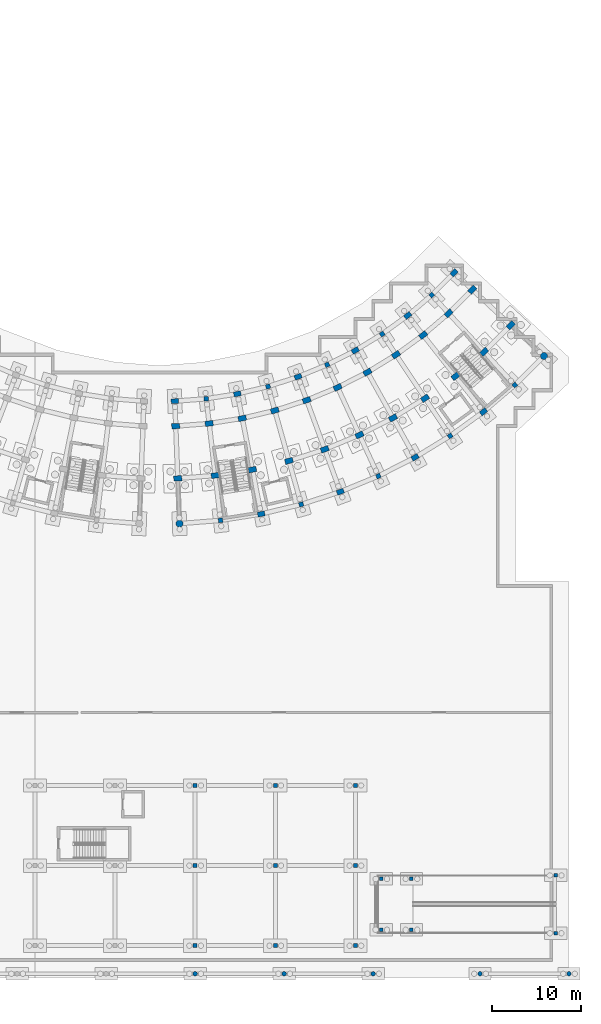
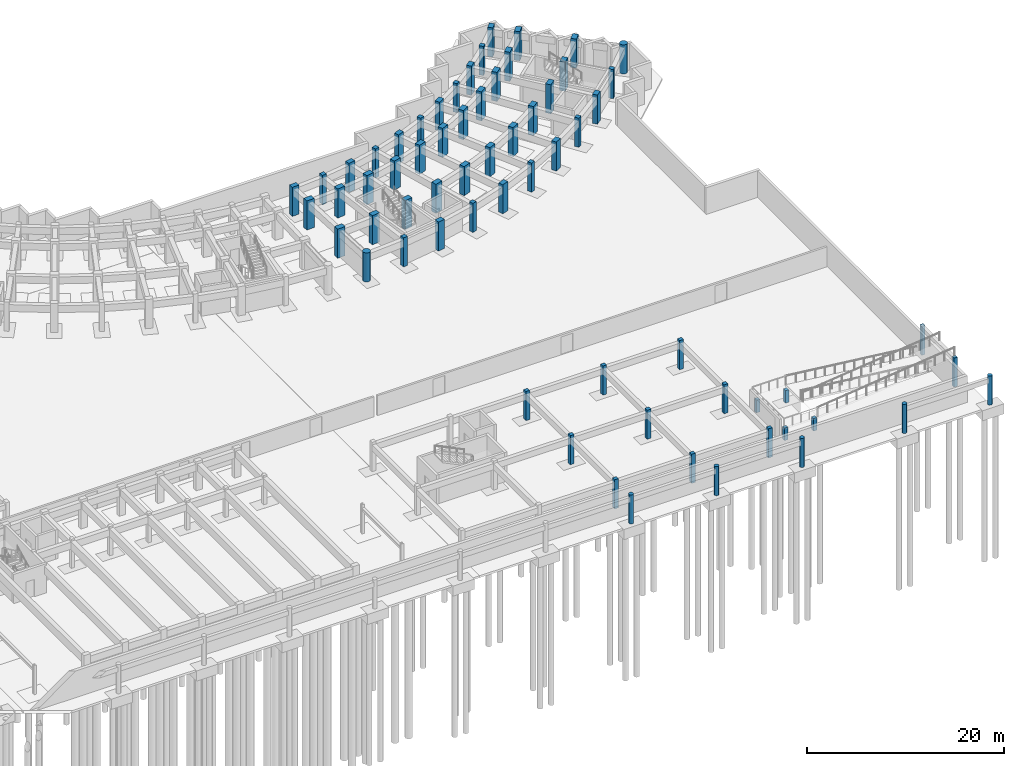
# One storey, part 10 of 32: 64 columns.
"""IFC4 building model written with IfcOpenShell, lengths in metres."""

from ifc_helpers import new_model, si_unit, direction, frame, origin, origin_2d, place, context, subcontext, project, spatial, rectangle, circle, extrude, material, material_profile, profile_set, type_object, element, save


model = new_model("IFC4")

# Units and contexts
model_context = context("Model", 3, precision=1e-05, world=origin(), true_north=direction((0.0, 1.0)))
body_context = subcontext(model_context, "Body", "Model", "MODEL_VIEW")
ifc_project = project(units=[si_unit("LENGTHUNIT", "METRE"), si_unit("AREAUNIT", "SQUARE_METRE"), si_unit("VOLUMEUNIT", "CUBIC_METRE"), si_unit("PLANEANGLEUNIT", "RADIAN"), si_unit("MASSUNIT", "GRAM", prefix="KILO")], contexts=[model_context])

# Site, building, storey
site_placement = place(None, origin())
site = spatial("IfcSite", under=ifc_project, at=site_placement, CompositionType="ELEMENT")
building_placement = place(site_placement, origin())
building = spatial("IfcBuilding", under=site, at=building_placement, Name="Zimvara Arc Housing Community", CompositionType="ELEMENT")
storey_placement = place(building_placement, frame((0.0, 0.0, -3.60009765625)))
storey = spatial("IfcBuildingStorey", under=building, at=storey_placement, Name="B1", CompositionType="ELEMENT", Elevation=-3.60009765625)

# Columns
ifc_material_1 = material(Name="Concrete C40/50", Category="concrete")
ifc_material_profile_1 = material_profile(ifc_material_1, rectangle(XDim=0.39990234375, YDim=0.39990234375, at=origin_2d()), Name="RC 400x400")
ifc_profile_set_1 = profile_set([ifc_material_profile_1], Name="Concrete C40/50")
column_type_1 = type_object("IfcColumnType", Name="COL-RC-400x400", PredefinedType="COLUMN", material=ifc_profile_set_1)
for number, where, z_axis, x_axis, name in (
    (1, (150.89990234375, 5.39990234375, 0.0), (0.0, 0.0, 1.0), (1.0, 0.0, 0.0), "col:B1:ramp:1"),
    (2, (150.89990234375, 11.10009765625, 0.0), (0.0, 0.0, 1.0), (1.0, 0.0, 0.0), "col:B1:ramp:2"),
    (3, (154.300048828125, 5.39990234375, 0.0), (0.0, 0.0, 1.0), (1.0, 0.0, 0.0), "col:B1:ramp:3"),
    (4, (154.300048828125, 11.10009765625, 0.0), (0.0, 0.0, 1.0), (1.0, 0.0, 0.0), "col:B1:ramp:4"),
):
    element("IfcColumn", number, at=place(storey_placement, frame(where, z_axis=z_axis, x_axis=x_axis)), inside=storey, type_object=column_type_1, Name=name, PredefinedType="COLUMN", context=body_context, shape_type="SweptSolid", body=[
        extrude(rectangle(XDim=0.39990234375, YDim=0.39990234375, at=origin_2d()), origin(), (0.0, 0.0, 1.0), 1.550048828125),
    ])
for number, where, z_axis, x_axis, name in (
    (5, (170.5, 5.0, 0.0), (0.0, 0.0, 1.0), (1.0, 0.0, 0.0), "col:B1:ramp_top:1"),
    (6, (170.5, 11.5, 0.0), (0.0, 0.0, 1.0), (1.0, 0.0, 0.0), "col:B1:ramp_top:2"),
):
    element("IfcColumn", number, at=place(storey_placement, frame(where, z_axis=z_axis, x_axis=x_axis)), inside=storey, type_object=column_type_1, Name=name, PredefinedType="COLUMN", context=body_context, shape_type="SweptSolid", body=[
        extrude(rectangle(XDim=0.39990234375, YDim=0.39990234375, at=origin_2d()), origin(), (0.0, 0.0, 1.0), 3.60009765625),
    ])
ifc_material_2 = material(Name="Concrete C40/50", Category="concrete")
ifc_material_profile_2 = material_profile(ifc_material_2, rectangle(XDim=0.449951171875, YDim=0.449951171875, at=origin_2d()), Name="RC 450x450")
ifc_profile_set_2 = profile_set([ifc_material_profile_2], Name="Concrete C40/50")
column_type_2 = type_object("IfcColumnType", Name="COL-RC-450x450", PredefinedType="COLUMN", material=ifc_profile_set_2)
for number, where, z_axis, x_axis, name in (
    (7, (130.0, 3.60009765625, 0.0), (0.0, 0.0, 1.0), (1.0, 0.0, 0.0), "col:nursery:B1:x2:y0"),
    (8, (130.0, 12.60009765625, 0.0), (0.0, 0.0, 1.0), (1.0, 0.0, 0.0), "col:nursery:B1:x2:y1"),
    (9, (130.0, 21.60009765625, 0.0), (0.0, 0.0, 1.0), (1.0, 0.0, 0.0), "col:nursery:B1:x2:y2"),
    (10, (139.0, 3.60009765625, 0.0), (0.0, 0.0, 1.0), (1.0, 0.0, 0.0), "col:nursery:B1:x3:y0"),
    (11, (139.0, 12.60009765625, 0.0), (0.0, 0.0, 1.0), (1.0, 0.0, 0.0), "col:nursery:B1:x3:y1"),
    (12, (139.0, 21.60009765625, 0.0), (0.0, 0.0, 1.0), (1.0, 0.0, 0.0), "col:nursery:B1:x3:y2"),
    (13, (148.0, 3.60009765625, 0.0), (0.0, 0.0, 1.0), (1.0, 0.0, 0.0), "col:nursery:B1:x4:y0"),
    (14, (148.0, 12.60009765625, 0.0), (0.0, 0.0, 1.0), (1.0, 0.0, 0.0), "col:nursery:B1:x4:y1"),
    (15, (148.0, 21.60009765625, 0.0), (0.0, 0.0, 1.0), (1.0, 0.0, 0.0), "col:nursery:B1:x4:y2"),
):
    element("IfcColumn", number, at=place(storey_placement, frame(where, z_axis=z_axis, x_axis=x_axis)), inside=storey, type_object=column_type_2, Name=name, PredefinedType="COLUMN", context=body_context, shape_type="SweptSolid", body=[
        extrude(rectangle(XDim=0.449951171875, YDim=0.449951171875, at=origin_2d()), origin(), (0.0, 0.0, 1.0), 3.60009765625),
    ])
ifc_material_3 = material(Name="Concrete C40/50", Category="concrete")
ifc_material_profile_3 = material_profile(ifc_material_3, rectangle(XDim=0.5, YDim=0.5, at=origin_2d()), Name="RC 500x500")
ifc_profile_set_3 = profile_set([ifc_material_profile_3], Name="Concrete C40/50")
column_type_3 = type_object("IfcColumnType", Name="COL-RC-500x500", PredefinedType="COLUMN", material=ifc_profile_set_3)
for number, where, z_axis, x_axis, name in (
    (16, (131.244140625, 65.048095703125, 0.0), (0.0, 0.0, 1.0), (0.116670737099, -0.993170649538, 0.0), "col:blkD:B1:b1:r0"),
    (17, (132.849609375, 51.382080078125, 0.0), (0.0, 0.0, 1.0), (0.116670737099, -0.993170649538, 0.0), "col:blkD:B1:b1:r3"),
    (18, (138.189453125, 66.42333984375, 0.0), (0.0, 0.0, 1.0), (0.270600445976, -0.962691746426, 0.0), "col:blkD:B1:b3:r0"),
    (19, (141.912841796875, 53.1767578125, 0.0), (0.0, 0.0, 1.0), (0.270600445976, -0.962691746426, 0.0), "col:blkD:B1:b3:r3"),
    (20, (144.834228515625, 68.8681640625, 0.0), (0.0, 0.0, 1.0), (0.417867073801, -0.908508177527, 0.0), "col:blkD:B1:b5:r0"),
    (21, (150.583984375, 56.366943359375, 0.0), (0.0, 0.0, 1.0), (0.417867073801, -0.908508177527, 0.0), "col:blkD:B1:b5:r3"),
    (22, (151.0146484375, 72.322265625, 0.0), (0.0, 0.0, 1.0), (0.554844427448, -0.83195412213, 0.0), "col:blkD:B1:b7:r0"),
    (23, (158.649169921875, 60.87451171875, 0.0), (0.0, 0.0, 1.0), (0.554844427448, -0.83195412213, 0.0), "col:blkD:B1:b7:r3"),
    (24, (156.57861328125, 76.70068359375, 0.0), (0.0, 0.0, 1.0), (0.678159669868, -0.73491459515, 0.0), "col:blkD:B1:b9:r0"),
    (25, (165.91015625, 66.588134765625, 0.0), (0.0, 0.0, 1.0), (0.678159669868, -0.73491459515, 0.0), "col:blkD:B1:b9:r3"),
):
    element("IfcColumn", number, at=place(storey_placement, frame(where, z_axis=z_axis, x_axis=x_axis)), inside=storey, type_object=column_type_3, Name=name, PredefinedType="COLUMN", context=body_context, shape_type="SweptSolid", body=[
        extrude(rectangle(XDim=0.5, YDim=0.5, at=origin_2d()), origin(), (0.0, 0.0, 1.0), 3.60009765625),
    ])
ifc_material_4 = material(Name="Concrete C40/50", Category="concrete")
ifc_material_profile_4 = material_profile(ifc_material_4, rectangle(XDim=0.550048828125, YDim=0.800048828125, at=origin_2d()), Name="RC 550x800")
ifc_profile_set_4 = profile_set([ifc_material_profile_4], Name="Concrete C40/50")
column_type_4 = type_object("IfcColumnType", Name="COL-RC-550x800", PredefinedType="COLUMN", material=ifc_profile_set_4)
for number, where, z_axis, x_axis, name in (
    (26, (127.712158203125, 64.773193359375, 0.0), (0.0, 0.0, 1.0), (0.038387809088, -0.999262916411, 0.0), "col:blkD:B1:b0:r0"),
    (27, (134.743896484375, 65.599365234375, 0.0), (0.0, 0.0, 1.0), (0.19423435122, -0.980955155349, 0.0), "col:blkD:B1:b2:r0"),
    (28, (137.41650390625, 52.101318359375, 0.0), (0.0, 0.0, 1.0), (0.19423435122, -0.980955155349, 0.0), "col:blkD:B1:b2:r3"),
    (29, (141.559814453125, 67.51513671875, 0.0), (0.0, 0.0, 1.0), (0.345298198999, -0.93849302276, 0.0), "col:blkD:B1:b4:r0"),
    (30, (146.311279296875, 54.6015625, 0.0), (0.0, 0.0, 1.0), (0.345298198999, -0.93849302276, 0.0), "col:blkD:B1:b4:r3"),
    (31, (147.9921875, 70.473876953125, 0.0), (0.0, 0.0, 1.0), (0.487859659139, -0.87292207727, 0.0), "col:blkD:B1:b6:r0"),
    (32, (154.705078125, 58.46240234375, 0.0), (0.0, 0.0, 1.0), (0.487859659139, -0.87292207727, 0.0), "col:blkD:B1:b6:r3"),
    (33, (153.882568359375, 74.402099609375, 0.0), (0.0, 0.0, 1.0), (0.618408395358, -0.785856893175, 0.0), "col:blkD:B1:b8:r0"),
    (34, (162.391845703125, 63.5888671875, 0.0), (0.0, 0.0, 1.0), (0.618408395358, -0.785856893175, 0.0), "col:blkD:B1:b8:r3"),
    (35, (159.0859375, 79.20361328125, 0.0), (0.0, 0.0, 1.0), (0.733729864503, -0.679441304262, 0.0), "col:blkD:B1:b10:r0"),
):
    element("IfcColumn", number, at=place(storey_placement, frame(where, z_axis=z_axis, x_axis=x_axis)), inside=storey, type_object=column_type_4, Name=name, PredefinedType="COLUMN", context=body_context, shape_type="SweptSolid", body=[
        extrude(rectangle(XDim=0.550048828125, YDim=0.800048828125, at=origin_2d()), origin(), (0.0, 0.0, 1.0), 3.60009765625),
    ])
ifc_material_5 = material(Name="Concrete C40/50", Category="concrete")
ifc_material_profile_5 = material_profile(ifc_material_5, rectangle(XDim=0.60009765625, YDim=0.89990234375, at=origin_2d()), Name="RC 600x900")
ifc_profile_set_5 = profile_set([ifc_material_profile_5], Name="Concrete C40/50")
column_type_5 = type_object("IfcColumnType", Name="COL-RC-600x900", PredefinedType="COLUMN", material=ifc_profile_set_5)
for number, where, z_axis, x_axis, name in (
    (36, (127.819580078125, 61.975341796875, 0.0), (0.0, 0.0, 1.0), (0.038387809088, -0.999262916411, 0.0), "col:blkD:B1:b0:r1"),
    (37, (128.045166015625, 56.099609375, 0.0), (0.0, 0.0, 1.0), (0.038387809088, -0.999262916411, 0.0), "col:blkD:B1:b0:r2"),
    (38, (131.57080078125, 62.267333984375, 0.0), (0.0, 0.0, 1.0), (0.116670737099, -0.993170649538, 0.0), "col:blkD:B1:b1:r1"),
    (39, (132.2568359375, 56.427490234375, 0.0), (0.0, 0.0, 1.0), (0.116670737099, -0.993170649538, 0.0), "col:blkD:B1:b1:r2"),
    (40, (135.28759765625, 62.8525390625, 0.0), (0.0, 0.0, 1.0), (0.19423435122, -0.980955155349, 0.0), "col:blkD:B1:b2:r1"),
    (41, (136.4296875, 57.084716796875, 0.0), (0.0, 0.0, 1.0), (0.19423435122, -0.980955155349, 0.0), "col:blkD:B1:b2:r2"),
    (42, (138.947265625, 63.727783203125, 0.0), (0.0, 0.0, 1.0), (0.270600445976, -0.962691746426, 0.0), "col:blkD:B1:b3:r1"),
    (43, (140.538330078125, 58.067138671875, 0.0), (0.0, 0.0, 1.0), (0.270600445976, -0.962691746426, 0.0), "col:blkD:B1:b3:r2"),
    (44, (142.526611328125, 64.887451171875, 0.0), (0.0, 0.0, 1.0), (0.345298198999, -0.93849302276, 0.0), "col:blkD:B1:b4:r1"),
    (45, (144.55712890625, 59.369140625, 0.0), (0.0, 0.0, 1.0), (0.345298198999, -0.93849302276, 0.0), "col:blkD:B1:b4:r2"),
    (46, (146.004150390625, 66.32421875, 0.0), (0.0, 0.0, 1.0), (0.417867073801, -0.908508177527, 0.0), "col:blkD:B1:b5:r1"),
    (47, (148.461181640625, 60.982177734375, 0.0), (0.0, 0.0, 1.0), (0.417867073801, -0.908508177527, 0.0), "col:blkD:B1:b5:r2"),
    (48, (149.358154296875, 68.029541015625, 0.0), (0.0, 0.0, 1.0), (0.487859659139, -0.87292207727, 0.0), "col:blkD:B1:b6:r1"),
    (49, (152.226806640625, 62.896728515625, 0.0), (0.0, 0.0, 1.0), (0.487859659139, -0.87292207727, 0.0), "col:blkD:B1:b6:r2"),
    (50, (152.568115234375, 69.99267578125, 0.0), (0.0, 0.0, 1.0), (0.554844427448, -0.83195412213, 0.0), "col:blkD:B1:b7:r1"),
    (51, (155.83056640625, 65.100830078125, 0.0), (0.0, 0.0, 1.0), (0.554844427448, -0.83195412213, 0.0), "col:blkD:B1:b7:r2"),
    (52, (155.614013671875, 72.20166015625, 0.0), (0.0, 0.0, 1.0), (0.618408395358, -0.785856893175, 0.0), "col:blkD:B1:b8:r1"),
    (53, (159.25048828125, 67.580810546875, 0.0), (0.0, 0.0, 1.0), (0.618408395358, -0.785856893175, 0.0), "col:blkD:B1:b8:r2"),
    (54, (158.477294921875, 74.642822265625, 0.0), (0.0, 0.0, 1.0), (0.678159669868, -0.73491459515, 0.0), "col:blkD:B1:b9:r1"),
    (55, (162.465087890625, 70.321533203125, 0.0), (0.0, 0.0, 1.0), (0.678159669868, -0.73491459515, 0.0), "col:blkD:B1:b9:r2"),
    (56, (161.140380859375, 77.30126953125, 0.0), (0.0, 0.0, 1.0), (0.733729864503, -0.679441304262, 0.0), "col:blkD:B1:b10:r1"),
    (57, (165.45458984375, 73.30615234375, 0.0), (0.0, 0.0, 1.0), (0.733729864503, -0.679441304262, 0.0), "col:blkD:B1:b10:r2"),
):
    element("IfcColumn", number, at=place(storey_placement, frame(where, z_axis=z_axis, x_axis=x_axis)), inside=storey, type_object=column_type_5, Name=name, PredefinedType="COLUMN", context=body_context, shape_type="SweptSolid", body=[
        extrude(rectangle(XDim=0.60009765625, YDim=0.89990234375, at=origin_2d()), origin(), (0.0, 0.0, 1.0), 3.60009765625),
    ])
ifc_material_6 = material(Name="Concrete C40/50", Category="concrete")
ifc_material_profile_6 = material_profile(ifc_material_6, circle(Radius=0.25, at=origin_2d()), Name="RC D500")
ifc_profile_set_6 = profile_set([ifc_material_profile_6], Name="Concrete C40/50")
column_type_6 = type_object("IfcColumnType", Name="COL-RC-D500", PredefinedType="COLUMN", material=ifc_profile_set_6)
for number, where, z_axis, x_axis, name in (
    (58, (130.0, 0.449951171875, 0.0), (0.0, 0.0, 1.0), (1.0, 0.0, 0.0), "col:colonnade:B1:13"),
    (59, (140.0, 0.449951171875, 0.0), (0.0, 0.0, 1.0), (1.0, 0.0, 0.0), "col:colonnade:B1:14"),
    (60, (150.0, 0.449951171875, 0.0), (0.0, 0.0, 1.0), (1.0, 0.0, 0.0), "col:colonnade:B1:15"),
    (61, (162.0, 0.449951171875, 0.0), (0.0, 0.0, 1.0), (1.0, 0.0, 0.0), "col:colonnade:B1:16"),
    (62, (172.0, 0.449951171875, 0.0), (0.0, 0.0, 1.0), (1.0, 0.0, 0.0), "col:colonnade:B1:17"),
):
    element("IfcColumn", number, at=place(storey_placement, frame(where, z_axis=z_axis, x_axis=x_axis)), inside=storey, type_object=column_type_6, Name=name, PredefinedType="COLUMN", context=body_context, shape_type="SweptSolid", body=[
        extrude(circle(Radius=0.25, at=origin_2d()), origin(), (0.0, 0.0, 1.0), 3.60009765625),
    ])
ifc_material_7 = material(Name="Concrete C40/50", Category="concrete")
ifc_material_profile_7 = material_profile(ifc_material_7, circle(Radius=0.39990234375, at=origin_2d()), Name="RC D800")
ifc_profile_set_7 = profile_set([ifc_material_profile_7], Name="Concrete C40/50")
column_type_7 = type_object("IfcColumnType", Name="COL-RC-D700", PredefinedType="COLUMN", material=ifc_profile_set_7)
for number, where, z_axis, x_axis, name in (
    (63, (128.240234375, 51.0234375, 0.0), (0.0, 0.0, 1.0), (0.038387809088, -0.999262916411, 0.0), "col:blkD:B1:b0:r3"),
    (64, (169.18212890625, 69.8544921875, 0.0), (0.0, 0.0, 1.0), (0.733729864503, -0.679441304262, 0.0), "col:blkD:B1:b10:r3"),
):
    element("IfcColumn", number, at=place(storey_placement, frame(where, z_axis=z_axis, x_axis=x_axis)), inside=storey, type_object=column_type_7, Name=name, PredefinedType="COLUMN", context=body_context, shape_type="SweptSolid", body=[
        extrude(circle(Radius=0.39990234375, at=origin_2d()), origin(), (0.0, 0.0, 1.0), 3.60009765625),
    ])

save(model, "model.ifc")
